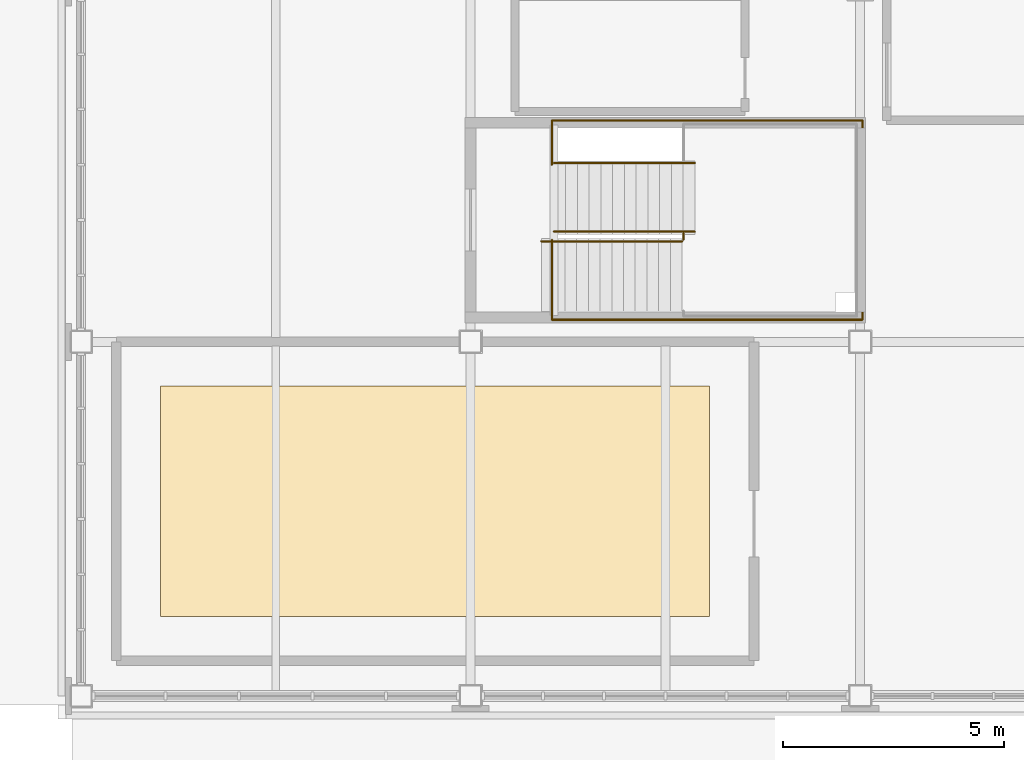
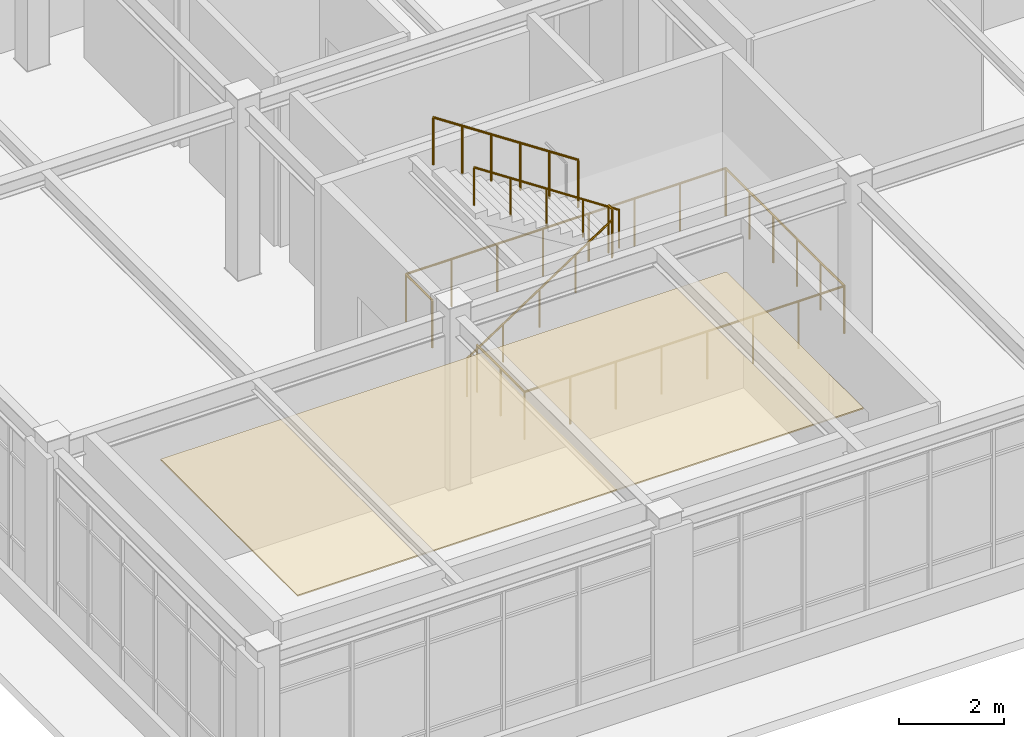
# One storey, part 17 of 22: 5 railings, 1 covering.
"""IFC4 building model written with IfcOpenShell, lengths in metres."""

from ifc_helpers import new_model, si_unit, direction, frame, origin, origin_2d, place, context, subcontext, project, spatial, rectangle, circle, extrude, material, layer, layer_set, type_object, element, save


model = new_model("IFC4")

# Units and contexts
model_context = context("Model", 3, precision=1e-05, world=origin(), true_north=direction((0.0, 1.0)))
body_context = subcontext(model_context, "Body", "Model", "MODEL_VIEW")
ifc_project = project(units=[si_unit("LENGTHUNIT", "METRE"), si_unit("AREAUNIT", "SQUARE_METRE"), si_unit("VOLUMEUNIT", "CUBIC_METRE"), si_unit("PLANEANGLEUNIT", "RADIAN"), si_unit("MASSUNIT", "GRAM", prefix="KILO")], contexts=[model_context])

# Site, building, storey
site_placement = place(None, origin())
site = spatial("IfcSite", under=ifc_project, at=site_placement, CompositionType="ELEMENT")
building_placement = place(site_placement, origin())
building = spatial("IfcBuilding", under=site, at=building_placement, Name="Zhaolan Boulevard Law Courts", CompositionType="ELEMENT")
storey_placement = place(building_placement, frame((0.0, 0.0, 28.800048828125)))
storey = spatial("IfcBuildingStorey", under=building, at=storey_placement, Name="L06", CompositionType="ELEMENT", Elevation=28.800048828125)

# Covering
ifc_material_1 = material(Name="Perforated acoustic gypsum and timber-slat ceiling", Category="wood")
ifc_layer = layer(ifc_material_1, 0.030029296875)
ifc_layer_set = layer_set([ifc_layer])
covering_type = type_object("IfcCoveringType", Name="ACOUSTIC CEILING 30", PredefinedType="CEILING", material=ifc_layer_set)
covering_placement = place(storey_placement, frame((8.0, 34.39990234375, 3.51513671875), z_axis=(0.0, 0.0, 1.0), x_axis=(1.0, 0.0, 0.0)))
element("IfcCovering", 1, at=covering_placement, inside=storey, type_object=covering_type, Name="Acoustic Baffle Ceiling CLG-13", PredefinedType="CEILING", context=body_context, shape_type="SweptSolid", body=[
    extrude(rectangle(XDim=12.39990234375, YDim=5.199951171875, at=origin_2d()), origin(), (0.0, 0.0, 1.0), 0.030029296875),
])

# Railings
ifc_material_2 = material(Name="Brushed stainless steel tubular handrail", Category="steel")
railing_type_1 = type_object("IfcRailingType", Name="STAIR HANDRAIL 900", PredefinedType="HANDRAIL", material=ifc_material_2)
railing_1_placement = place(storey_placement, frame((10.39990234375, 40.27001953125, 0.0)))
element("IfcRailing", 2, at=railing_1_placement, inside=storey, type_object=railing_type_1, Name="Stair Handrail HR-ST03-L06-1", PredefinedType="HANDRAIL", context=body_context, shape_type="SweptSolid", body=[
    extrude(circle(Radius=0.0224609375, at=origin_2d()), frame((0.0, 0.0, 0.87744140625), z_axis=(0.834496290938, 0.0, 0.551013557374), x_axis=(0.0, 1.0, 0.0)), (0.0, 0.0, 1.0), 3.810791015625),
    extrude(circle(Radius=0.01904296875, at=origin_2d()), origin(), (0.0, 0.0, 1.0), 0.85498046875),
    extrude(circle(Radius=0.01904296875, at=origin_2d()), frame((0.794921875, 0.0, 0.52490234375)), (0.0, 0.0, 1.0), 0.85498046875),
    extrude(circle(Radius=0.01904296875, at=origin_2d()), frame((1.590087890625, 0.0, 1.0498046875)), (0.0, 0.0, 1.0), 0.85498046875),
    extrude(circle(Radius=0.01904296875, at=origin_2d()), frame((2.38525390625, 0.0, 1.574951171875)), (0.0, 0.0, 1.0), 0.85498046875),
    extrude(circle(Radius=0.01904296875, at=origin_2d()), frame((3.18017578125, 0.0, 2.099853515625)), (0.0, 0.0, 1.0), 0.85498046875),
])
railing_2_placement = place(storey_placement, frame((13.864990234375, 40.489990234375, 2.099853515625)))
element("IfcRailing", 3, at=railing_2_placement, inside=storey, type_object=railing_type_1, Name="Stair Handrail HR-ST03-L06-2", PredefinedType="HANDRAIL", context=body_context, shape_type="SweptSolid", body=[
    extrude(circle(Radius=0.0224609375, at=origin_2d()), frame((0.0, 0.0, 0.87744140625), z_axis=(-0.834447378162, 0.0, 0.551087627405), x_axis=(0.0, -1.0, 0.0)), (0.0, 0.0, 1.0), 3.810791015625),
    extrude(circle(Radius=0.01904296875, at=origin_2d()), origin(), (0.0, 0.0, 1.0), 0.85498046875),
    extrude(circle(Radius=0.01904296875, at=origin_2d()), frame((-0.794921875, 0.0, 0.52490234375)), (0.0, 0.0, 1.0), 0.85498046875),
    extrude(circle(Radius=0.01904296875, at=origin_2d()), frame((-1.58984375, 0.0, 1.050048828125)), (0.0, 0.0, 1.0), 0.85498046875),
    extrude(circle(Radius=0.01904296875, at=origin_2d()), frame((-2.385009765625, 0.0, 1.5751953125)), (0.0, 0.0, 1.0), 0.85498046875),
    extrude(circle(Radius=0.01904296875, at=origin_2d()), frame((-3.179931640625, 0.0, 2.10009765625)), (0.0, 0.0, 1.0), 0.85498046875),
])
ifc_material_3 = material(Name="Powder-coated steel baluster guardrail", Category="steel")
railing_type_2 = type_object("IfcRailingType", Name="STAIR WELL GUARDRAIL 1120", PredefinedType="GUARDRAIL", material=ifc_material_3)
railing_3_placement = place(storey_placement, frame((10.639892578125, 40.300048828125, 0.0)))
element("IfcRailing", 4, at=railing_3_placement, inside=storey, type_object=railing_type_2, Name="Stair-Well Floor Guardrail WG-ST03-L05", PredefinedType="GUARDRAIL", context=body_context, shape_type="SweptSolid", body=[
    extrude(circle(Radius=0.02392578125, at=origin_2d()), frame((0.0, 0.0, 1.09619140625), z_axis=(0.0, -1.0, 0.0), x_axis=(1.0, 0.0, 0.0)), (0.0, 0.0, 1.0), 1.800048828125),
    extrude(circle(Radius=0.02392578125, at=origin_2d()), frame((0.0, -1.800048828125, 1.09619140625), z_axis=(1.0, 0.0, 0.0), x_axis=(0.0, 1.0, 0.0)), (0.0, 0.0, 1.0), 7.010009765625),
    extrude(circle(Radius=0.02392578125, at=origin_2d()), frame((7.010009765625, -1.800048828125, 1.09619140625), z_axis=(0.0, 1.0, 0.0), x_axis=(-1.0, 0.0, 0.0)), (0.0, 0.0, 1.0), 4.5),
    extrude(circle(Radius=0.02392578125, at=origin_2d()), frame((7.010009765625, 2.699951171875, 1.09619140625), z_axis=(-1.0, 0.0, 0.0), x_axis=(0.0, -1.0, 0.0)), (0.0, 0.0, 1.0), 7.010009765625),
    extrude(circle(Radius=0.02392578125, at=origin_2d()), frame((0.0, 2.699951171875, 1.09619140625), z_axis=(0.0, -1.0, 0.0), x_axis=(1.0, 0.0, 0.0)), (0.0, 0.0, 1.0), 1.0),
    extrude(circle(Radius=0.02099609375, at=origin_2d()), origin(), (0.0, 0.0, 1.0), 1.072021484375),
    extrude(circle(Radius=0.02099609375, at=origin_2d()), frame((0.0, -0.89990234375, 0.0)), (0.0, 0.0, 1.0), 1.072021484375),
    extrude(circle(Radius=0.02099609375, at=origin_2d()), frame((0.0, -1.800048828125, 0.0)), (0.0, 0.0, 1.0), 1.072021484375),
    extrude(circle(Radius=0.02099609375, at=origin_2d()), frame((1.00146484375, -1.800048828125, 0.0)), (0.0, 0.0, 1.0), 1.072021484375),
    extrude(circle(Radius=0.02099609375, at=origin_2d()), frame((2.0029296875, -1.800048828125, 0.0)), (0.0, 0.0, 1.0), 1.072021484375),
    extrude(circle(Radius=0.02099609375, at=origin_2d()), frame((3.00439453125, -1.800048828125, 0.0)), (0.0, 0.0, 1.0), 1.072021484375),
    extrude(circle(Radius=0.02099609375, at=origin_2d()), frame((4.005615234375, -1.800048828125, 0.0)), (0.0, 0.0, 1.0), 1.072021484375),
    extrude(circle(Radius=0.02099609375, at=origin_2d()), frame((5.007080078125, -1.800048828125, 0.0)), (0.0, 0.0, 1.0), 1.072021484375),
    extrude(circle(Radius=0.02099609375, at=origin_2d()), frame((6.008544921875, -1.800048828125, 0.0)), (0.0, 0.0, 1.0), 1.072021484375),
    extrude(circle(Radius=0.02099609375, at=origin_2d()), frame((7.010009765625, -1.800048828125, 0.0)), (0.0, 0.0, 1.0), 1.072021484375),
    extrude(circle(Radius=0.02099609375, at=origin_2d()), frame((7.010009765625, -0.900146484375, 0.0)), (0.0, 0.0, 1.0), 1.072021484375),
    extrude(circle(Radius=0.02099609375, at=origin_2d()), frame((7.010009765625, 0.0, 0.0)), (0.0, 0.0, 1.0), 1.072021484375),
    extrude(circle(Radius=0.02099609375, at=origin_2d()), frame((7.010009765625, 0.89990234375, 0.0)), (0.0, 0.0, 1.0), 1.072021484375),
    extrude(circle(Radius=0.02099609375, at=origin_2d()), frame((7.010009765625, 1.800048828125, 0.0)), (0.0, 0.0, 1.0), 1.072021484375),
    extrude(circle(Radius=0.02099609375, at=origin_2d()), frame((7.010009765625, 2.699951171875, 0.0)), (0.0, 0.0, 1.0), 1.072021484375),
    extrude(circle(Radius=0.02099609375, at=origin_2d()), frame((6.008544921875, 2.699951171875, 0.0)), (0.0, 0.0, 1.0), 1.072021484375),
    extrude(circle(Radius=0.02099609375, at=origin_2d()), frame((5.007080078125, 2.699951171875, 0.0)), (0.0, 0.0, 1.0), 1.072021484375),
    extrude(circle(Radius=0.02099609375, at=origin_2d()), frame((4.005615234375, 2.699951171875, 0.0)), (0.0, 0.0, 1.0), 1.072021484375),
    extrude(circle(Radius=0.02099609375, at=origin_2d()), frame((3.00439453125, 2.699951171875, 0.0)), (0.0, 0.0, 1.0), 1.072021484375),
    extrude(circle(Radius=0.02099609375, at=origin_2d()), frame((2.0029296875, 2.699951171875, 0.0)), (0.0, 0.0, 1.0), 1.072021484375),
    extrude(circle(Radius=0.02099609375, at=origin_2d()), frame((1.00146484375, 2.699951171875, 0.0)), (0.0, 0.0, 1.0), 1.072021484375),
    extrude(circle(Radius=0.02099609375, at=origin_2d()), frame((0.0, 2.699951171875, 0.0)), (0.0, 0.0, 1.0), 1.072021484375),
    extrude(circle(Radius=0.02099609375, at=origin_2d()), frame((0.0, 1.699951171875, 0.0)), (0.0, 0.0, 1.0), 1.072021484375),
])
railing_4_placement = place(storey_placement, frame((13.610107421875, 40.31005859375, 2.099853515625)))
element("IfcRailing", 5, at=railing_4_placement, inside=storey, type_object=railing_type_2, Name="Half-Landing Well Guardrail SG-ST03-L06-W", PredefinedType="GUARDRAIL", context=body_context, shape_type="SweptSolid", body=[
    extrude(circle(Radius=0.02392578125, at=origin_2d()), frame((0.0, 0.0, 1.09619140625), z_axis=(0.0, 1.0, 0.0), x_axis=(-1.0, 0.0, 0.0)), (0.0, 0.0, 1.0), 0.139892578125),
    extrude(circle(Radius=0.02099609375, at=origin_2d()), origin(), (0.0, 0.0, 1.0), 1.072021484375),
    extrude(circle(Radius=0.02099609375, at=origin_2d()), frame((0.0, 0.139892578125, 0.0)), (0.0, 0.0, 1.0), 1.072021484375),
])
railing_5_placement = place(storey_placement, frame((13.864990234375, 42.0400390625, 2.099853515625)))
element("IfcRailing", 6, at=railing_5_placement, inside=storey, type_object=railing_type_2, Name="Flight Guardrail SG-ST03-L06-F2", PredefinedType="GUARDRAIL", context=body_context, shape_type="SweptSolid", body=[
    extrude(circle(Radius=0.02392578125, at=origin_2d()), frame((0.0, 0.0, 1.09619140625), z_axis=(-0.834447378162, 0.0, 0.551087627405), x_axis=(0.0, -1.0, 0.0)), (0.0, 0.0, 1.0), 3.810791015625),
    extrude(circle(Radius=0.02099609375, at=origin_2d()), origin(), (0.0, 0.0, 1.0), 1.072021484375),
    extrude(circle(Radius=0.02099609375, at=origin_2d()), frame((-0.635986328125, 0.0, 0.419921875)), (0.0, 0.0, 1.0), 1.072021484375),
    extrude(circle(Radius=0.02099609375, at=origin_2d()), frame((-1.27197265625, 0.0, 0.840087890625)), (0.0, 0.0, 1.0), 1.072021484375),
    extrude(circle(Radius=0.02099609375, at=origin_2d()), frame((-1.907958984375, 0.0, 1.260009765625)), (0.0, 0.0, 1.0), 1.072021484375),
    extrude(circle(Radius=0.02099609375, at=origin_2d()), frame((-2.5439453125, 0.0, 1.68017578125)), (0.0, 0.0, 1.0), 1.072021484375),
    extrude(circle(Radius=0.02099609375, at=origin_2d()), frame((-3.179931640625, 0.0, 2.10009765625)), (0.0, 0.0, 1.0), 1.072021484375),
])

save(model, "model.ifc")
